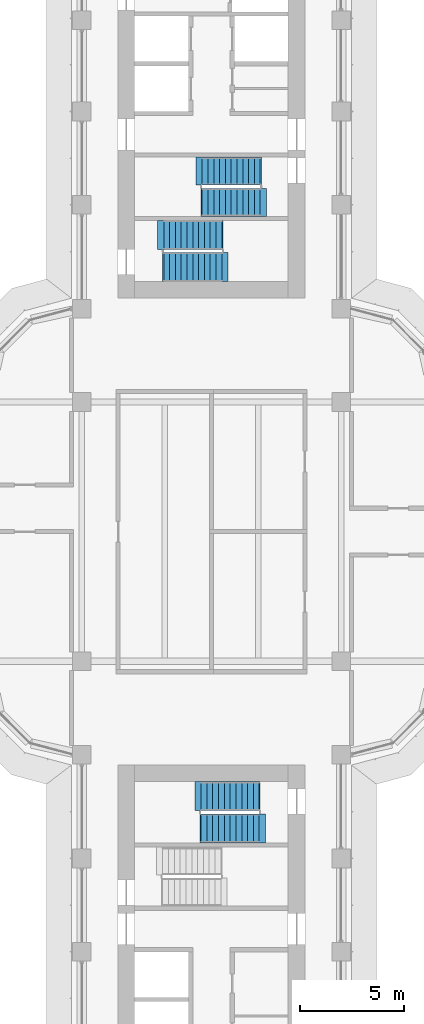
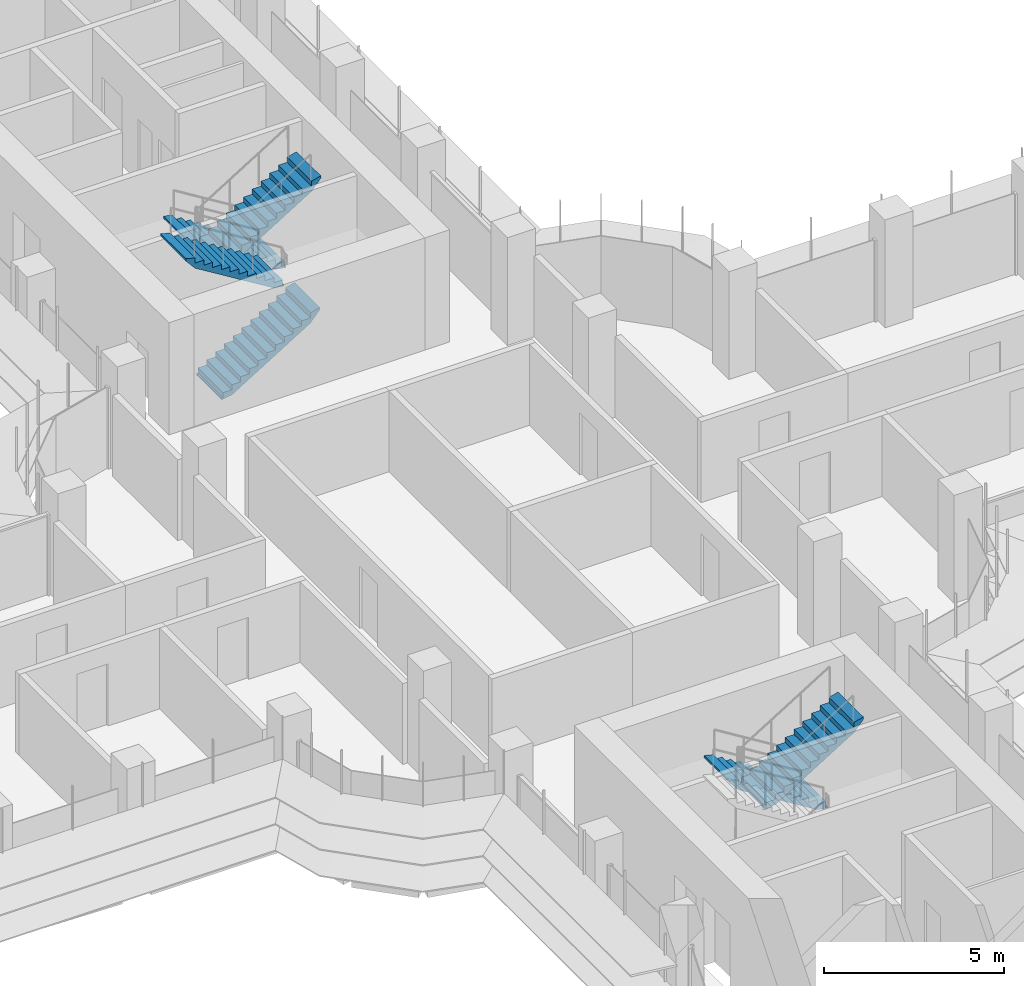
# One storey, part 18 of 22: 6 stair flights, 3 elements without a shape of their own.
"""IFC4 building model written with IfcOpenShell, lengths in metres."""

from ifc_helpers import new_model, si_unit, direction, frame, origin, place, context, subcontext, project, spatial, polyline, outline, extrude, material, type_object, element, aggregate, save


model = new_model("IFC4")

# Units and contexts
model_context = context("Model", 3, precision=1e-05, world=origin(), true_north=direction((0.0, 1.0)))
body_context = subcontext(model_context, "Body", "Model", "MODEL_VIEW")
ifc_project = project(units=[si_unit("LENGTHUNIT", "METRE"), si_unit("AREAUNIT", "SQUARE_METRE"), si_unit("VOLUMEUNIT", "CUBIC_METRE"), si_unit("PLANEANGLEUNIT", "RADIAN"), si_unit("MASSUNIT", "GRAM", prefix="KILO")], contexts=[model_context])

# Site, building, storey
site_placement = place(None, origin())
site = spatial("IfcSite", under=ifc_project, at=site_placement, CompositionType="ELEMENT")
building_placement = place(site_placement, origin())
building = spatial("IfcBuilding", under=site, at=building_placement, Name="Zarbagh Exchange Tower", CompositionType="ELEMENT")
storey_placement = place(building_placement, frame((0.0, 0.0, 98.0)))
storey = spatial("IfcBuildingStorey", under=building, at=storey_placement, Name="L22", CompositionType="ELEMENT", Elevation=98.0)

# Stair, stair flights
ifc_material = material(Name="Concrete C40/50", Category="concrete")
stair_type = type_object("IfcStairType", Name="Exit stair two-flight half-turn", PredefinedType="HALF_TURN_STAIR", material=ifc_material)
stair_1_placement = place(storey_placement, origin())
stair_1 = element("IfcStair", 1, at=stair_1_placement, inside=storey, type_object=stair_type, Name="exit stair ST1", PredefinedType="HALF_TURN_STAIR")
stair_flight_type_1 = type_object("IfcStairFlightType", Name="Stair flight 1350 mm", PredefinedType="STRAIGHT", material=ifc_material)
stair_flight_1_placement = place(storey_placement, frame((2.35009765625, 17.375, 0.0), z_axis=(0.0, 0.0, 1.0), x_axis=(-1.0, 0.0, 0.0)))
stair_flight_1 = element("IfcStairFlight", 2, at=stair_flight_1_placement, type_object=stair_flight_type_1, Name="ST1 flight 1", NumberOfRisers=11, NumberOfTreads=10, PredefinedType="STRAIGHT", RiserHeight=0.172727273, TreadLength=0.28, context=body_context, shape_type="SweptSolid", body=[
    extrude(outline(polyline([(-0.050048828125, -0.050048828125), (-0.050048828125, 0.0), (0.0, 0.0), (0.0, 0.172607421875), (0.280029296875, 0.172607421875), (0.280029296875, 0.345458984375), (0.56005859375, 0.345458984375), (0.56005859375, 0.51806640625), (0.840087890625, 0.51806640625), (0.840087890625, 0.69091796875), (1.1201171875, 0.69091796875), (1.1201171875, 0.863525390625), (1.39990234375, 0.863525390625), (1.39990234375, 1.036376953125), (1.679931640625, 1.036376953125), (1.679931640625, 1.208984375), (1.9599609375, 1.208984375), (1.9599609375, 1.3818359375), (2.239990234375, 1.3818359375), (2.239990234375, 1.554443359375), (2.52001953125, 1.554443359375), (2.52001953125, 1.727294921875), (2.800048828125, 1.727294921875), (2.800048828125, 1.89990234375), (3.10009765625, 1.97998046875), (3.10009765625, 1.89990234375), (2.800048828125, 1.551025390625), (0.285400390625, 0.0), (-0.050048828125, -0.050048828125)])), frame((0.0, 0.675048828125, 0.0), z_axis=(0.0, -1.0, 0.0), x_axis=(1.0, 0.0, 0.0)), (0.0, 0.0, 1.0), 1.35009765625),
])
stair_flight_2_placement = place(storey_placement, frame((-0.449951171875, 15.875, 1.89990234375), z_axis=(0.0, 0.0, 1.0), x_axis=(1.0, 0.0, 0.0)))
stair_flight_2 = element("IfcStairFlight", 3, at=stair_flight_2_placement, type_object=stair_flight_type_1, Name="ST1 flight 2", NumberOfRisers=11, NumberOfTreads=10, PredefinedType="STRAIGHT", RiserHeight=0.172727273, TreadLength=0.28, context=body_context, shape_type="SweptSolid", body=[
    extrude(outline(polyline([(-0.050048828125, -0.050048828125), (-0.050048828125, 0.0), (0.0, 0.0), (0.0, 0.172607421875), (0.280029296875, 0.172607421875), (0.280029296875, 0.345458984375), (0.56005859375, 0.345458984375), (0.56005859375, 0.51806640625), (0.840087890625, 0.51806640625), (0.840087890625, 0.69091796875), (1.1201171875, 0.69091796875), (1.1201171875, 0.863525390625), (1.39990234375, 0.863525390625), (1.39990234375, 1.036376953125), (1.679931640625, 1.036376953125), (1.679931640625, 1.208984375), (1.9599609375, 1.208984375), (1.9599609375, 1.3818359375), (2.239990234375, 1.3818359375), (2.239990234375, 1.554443359375), (2.52001953125, 1.554443359375), (2.52001953125, 1.727294921875), (2.800048828125, 1.727294921875), (2.800048828125, 1.89990234375), (3.10009765625, 1.97998046875), (3.10009765625, 1.89990234375), (2.800048828125, 1.551025390625), (0.285400390625, 0.0), (-0.050048828125, -0.050048828125)])), frame((0.0, 0.675048828125, 0.0), z_axis=(0.0, -1.0, 0.0), x_axis=(1.0, 0.0, 0.0)), (0.0, 0.0, 1.0), 1.35009765625),
])
aggregate(stair_1, [stair_flight_1, stair_flight_2])

stair_2_placement = place(storey_placement, origin())
stair_2 = element("IfcStair", 4, at=stair_2_placement, inside=storey, type_object=stair_type, Name="exit stair ST2", PredefinedType="HALF_TURN_STAIR")
stair_flight_type_2 = type_object("IfcStairFlightType", Name="Stair flight 1400 mm", PredefinedType="STRAIGHT", material=ifc_material)
stair_flight_3_placement = place(storey_placement, frame((-2.300048828125, 12.75, 0.0), z_axis=(0.0, 0.0, 1.0), x_axis=(1.0, 0.0, 0.0)))
stair_flight_3 = element("IfcStairFlight", 5, at=stair_flight_3_placement, type_object=stair_flight_type_2, Name="ST2 flight 1", NumberOfRisers=11, NumberOfTreads=10, PredefinedType="STRAIGHT", RiserHeight=0.172727273, TreadLength=0.28, context=body_context, shape_type="SweptSolid", body=[
    extrude(outline(polyline([(-0.050048828125, -0.050048828125), (-0.050048828125, 0.0), (0.0, 0.0), (0.0, 0.172607421875), (0.280029296875, 0.172607421875), (0.280029296875, 0.345458984375), (0.56005859375, 0.345458984375), (0.56005859375, 0.51806640625), (0.840087890625, 0.51806640625), (0.840087890625, 0.69091796875), (1.1201171875, 0.69091796875), (1.1201171875, 0.863525390625), (1.39990234375, 0.863525390625), (1.39990234375, 1.036376953125), (1.679931640625, 1.036376953125), (1.679931640625, 1.208984375), (1.9599609375, 1.208984375), (1.9599609375, 1.3818359375), (2.239990234375, 1.3818359375), (2.239990234375, 1.554443359375), (2.52001953125, 1.554443359375), (2.52001953125, 1.727294921875), (2.800048828125, 1.727294921875), (2.800048828125, 1.89990234375), (3.10009765625, 1.97998046875), (3.10009765625, 1.89990234375), (2.800048828125, 1.551025390625), (0.285400390625, 0.0), (-0.050048828125, -0.050048828125)])), frame((0.0, 0.699951171875, 0.0), z_axis=(0.0, -1.0, 0.0), x_axis=(1.0, 0.0, 0.0)), (0.0, 0.0, 1.0), 1.39990234375),
])
stair_flight_4_placement = place(storey_placement, frame((0.5, 14.300048828125, 1.89990234375), z_axis=(0.0, 0.0, 1.0), x_axis=(-1.0, 0.0, 0.0)))
stair_flight_4 = element("IfcStairFlight", 6, at=stair_flight_4_placement, type_object=stair_flight_type_2, Name="ST2 flight 2", NumberOfRisers=11, NumberOfTreads=10, PredefinedType="STRAIGHT", RiserHeight=0.172727273, TreadLength=0.28, context=body_context, shape_type="SweptSolid", body=[
    extrude(outline(polyline([(-0.050048828125, -0.050048828125), (-0.050048828125, 0.0), (0.0, 0.0), (0.0, 0.172607421875), (0.280029296875, 0.172607421875), (0.280029296875, 0.345458984375), (0.56005859375, 0.345458984375), (0.56005859375, 0.51806640625), (0.840087890625, 0.51806640625), (0.840087890625, 0.69091796875), (1.1201171875, 0.69091796875), (1.1201171875, 0.863525390625), (1.39990234375, 0.863525390625), (1.39990234375, 1.036376953125), (1.679931640625, 1.036376953125), (1.679931640625, 1.208984375), (1.9599609375, 1.208984375), (1.9599609375, 1.3818359375), (2.239990234375, 1.3818359375), (2.239990234375, 1.554443359375), (2.52001953125, 1.554443359375), (2.52001953125, 1.727294921875), (2.800048828125, 1.727294921875), (2.800048828125, 1.89990234375), (3.10009765625, 1.97998046875), (3.10009765625, 1.89990234375), (2.800048828125, 1.551025390625), (0.285400390625, 0.0), (-0.050048828125, -0.050048828125)])), frame((0.0, 0.699951171875, 0.0), z_axis=(0.0, -1.0, 0.0), x_axis=(1.0, 0.0, 0.0)), (0.0, 0.0, 1.0), 1.39990234375),
])
aggregate(stair_2, [stair_flight_3, stair_flight_4])

stair_3_placement = place(storey_placement, origin())
stair_3 = element("IfcStair", 7, at=stair_3_placement, inside=storey, type_object=stair_type, Name="exit stair ST4", PredefinedType="HALF_TURN_STAIR")
stair_flight_5_placement = place(storey_placement, frame((2.300048828125, -12.75, 0.0), z_axis=(0.0, 0.0, 1.0), x_axis=(-1.0, 0.0, 0.0)))
stair_flight_5 = element("IfcStairFlight", 8, at=stair_flight_5_placement, type_object=stair_flight_type_2, Name="ST4 flight 1", NumberOfRisers=11, NumberOfTreads=10, PredefinedType="STRAIGHT", RiserHeight=0.172727273, TreadLength=0.28, context=body_context, shape_type="SweptSolid", body=[
    extrude(outline(polyline([(-0.050048828125, -0.050048828125), (-0.050048828125, 0.0), (0.0, 0.0), (0.0, 0.172607421875), (0.280029296875, 0.172607421875), (0.280029296875, 0.345458984375), (0.56005859375, 0.345458984375), (0.56005859375, 0.51806640625), (0.840087890625, 0.51806640625), (0.840087890625, 0.69091796875), (1.1201171875, 0.69091796875), (1.1201171875, 0.863525390625), (1.39990234375, 0.863525390625), (1.39990234375, 1.036376953125), (1.679931640625, 1.036376953125), (1.679931640625, 1.208984375), (1.9599609375, 1.208984375), (1.9599609375, 1.3818359375), (2.239990234375, 1.3818359375), (2.239990234375, 1.554443359375), (2.52001953125, 1.554443359375), (2.52001953125, 1.727294921875), (2.800048828125, 1.727294921875), (2.800048828125, 1.89990234375), (3.10009765625, 1.97998046875), (3.10009765625, 1.89990234375), (2.800048828125, 1.551025390625), (0.285400390625, 0.0), (-0.050048828125, -0.050048828125)])), frame((0.0, 0.699951171875, 0.0), z_axis=(0.0, -1.0, 0.0), x_axis=(1.0, 0.0, 0.0)), (0.0, 0.0, 1.0), 1.39990234375),
])
stair_flight_6_placement = place(storey_placement, frame((-0.5, -14.300048828125, 1.89990234375), z_axis=(0.0, 0.0, 1.0), x_axis=(1.0, 0.0, 0.0)))
stair_flight_6 = element("IfcStairFlight", 9, at=stair_flight_6_placement, type_object=stair_flight_type_2, Name="ST4 flight 2", NumberOfRisers=11, NumberOfTreads=10, PredefinedType="STRAIGHT", RiserHeight=0.172727273, TreadLength=0.28, context=body_context, shape_type="SweptSolid", body=[
    extrude(outline(polyline([(-0.050048828125, -0.050048828125), (-0.050048828125, 0.0), (0.0, 0.0), (0.0, 0.172607421875), (0.280029296875, 0.172607421875), (0.280029296875, 0.345458984375), (0.56005859375, 0.345458984375), (0.56005859375, 0.51806640625), (0.840087890625, 0.51806640625), (0.840087890625, 0.69091796875), (1.1201171875, 0.69091796875), (1.1201171875, 0.863525390625), (1.39990234375, 0.863525390625), (1.39990234375, 1.036376953125), (1.679931640625, 1.036376953125), (1.679931640625, 1.208984375), (1.9599609375, 1.208984375), (1.9599609375, 1.3818359375), (2.239990234375, 1.3818359375), (2.239990234375, 1.554443359375), (2.52001953125, 1.554443359375), (2.52001953125, 1.727294921875), (2.800048828125, 1.727294921875), (2.800048828125, 1.89990234375), (3.10009765625, 1.97998046875), (3.10009765625, 1.89990234375), (2.800048828125, 1.551025390625), (0.285400390625, 0.0), (-0.050048828125, -0.050048828125)])), frame((0.0, 0.699951171875, 0.0), z_axis=(0.0, -1.0, 0.0), x_axis=(1.0, 0.0, 0.0)), (0.0, 0.0, 1.0), 1.39990234375),
])
aggregate(stair_3, [stair_flight_5, stair_flight_6])

save(model, "model.ifc")
